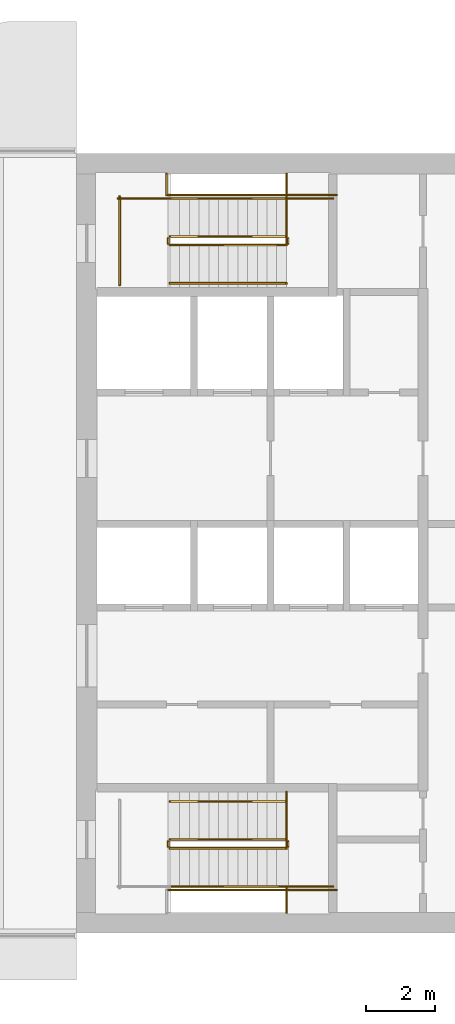
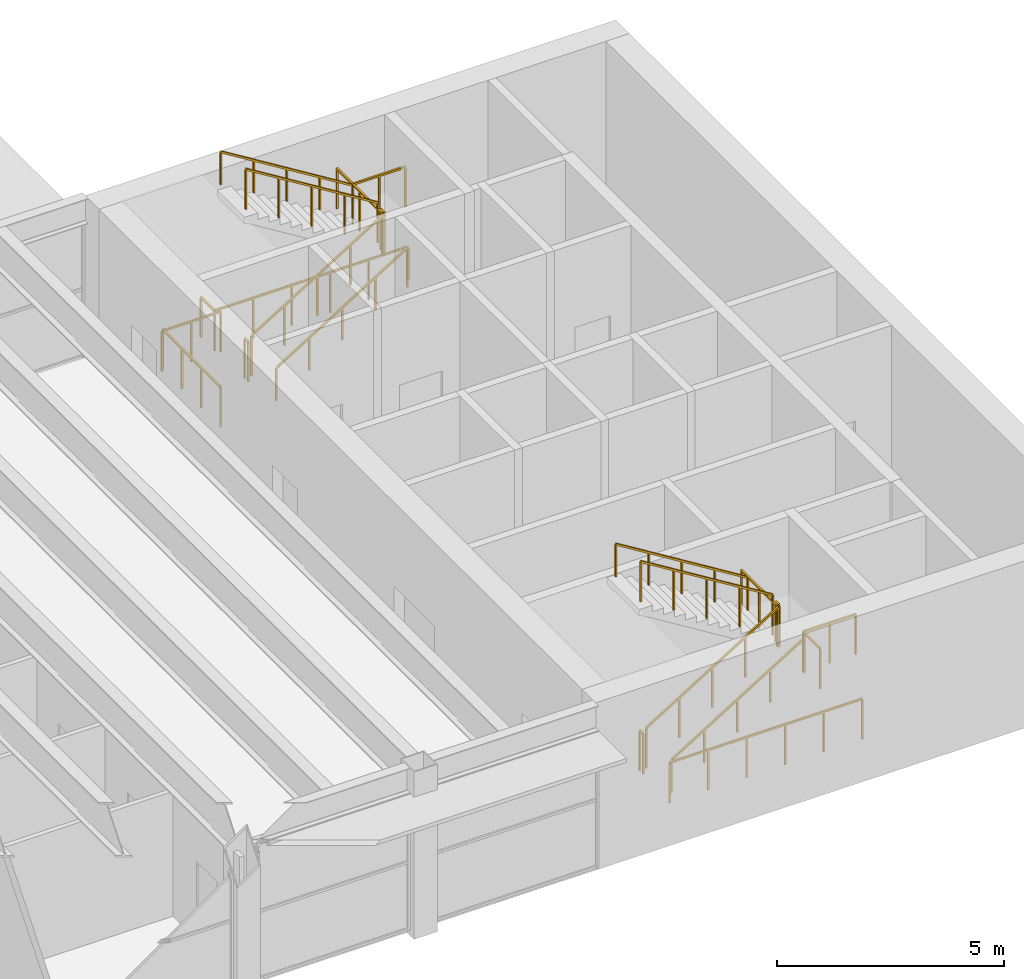
# One storey, part 14 of 14: 22 railings.
"""IFC4 building model written with IfcOpenShell, lengths in metres."""

from ifc_helpers import new_model, si_unit, direction, frame, origin, origin_2d, place, context, subcontext, project, spatial, rectangle, extrude, material, type_object, element, save


model = new_model("IFC4")

# Units and contexts
model_context = context("Model", 3, precision=1e-05, world=origin(), true_north=direction((0.0, 1.0)))
body_context = subcontext(model_context, "Body", "Model", "MODEL_VIEW")
ifc_project = project(units=[si_unit("LENGTHUNIT", "METRE"), si_unit("AREAUNIT", "SQUARE_METRE"), si_unit("VOLUMEUNIT", "CUBIC_METRE"), si_unit("PLANEANGLEUNIT", "RADIAN"), si_unit("MASSUNIT", "GRAM", prefix="KILO")], contexts=[model_context])

# Site, building, storey
site_placement = place(None, origin())
site = spatial("IfcSite", under=ifc_project, at=site_placement, CompositionType="ELEMENT")
building_placement = place(site_placement, origin())
building = spatial("IfcBuilding", under=site, at=building_placement, Name="Sennacour Bend Tower", CompositionType="ELEMENT")
storey_placement = place(building_placement, frame((0.0, 0.0, 309.5)))
storey = spatial("IfcBuildingStorey", under=building, at=storey_placement, Name="L71", CompositionType="ELEMENT", Elevation=309.5)

# Railings
ifc_material = material(Name="Stainless steel", Category="steel")
railing_type_1 = type_object("IfcRailingType", Name="RL-GUARD-1100", PredefinedType="GUARDRAIL", material=ifc_material)
railing_1_placement = place(storey_placement, frame((56.699951171875, 2.449951171875, 0.173095703125)))
element("IfcRailing", 1, at=railing_1_placement, inside=storey, type_object=railing_type_1, Name="L71 SA1 stair guard 1", PredefinedType="GUARDRAIL", context=body_context, shape_type="SweptSolid", body=[
    extrude(rectangle(XDim=0.048095703125, YDim=0.048095703125, at=origin_2d()), frame((0.0, 0.0, 1.076171875), z_axis=(0.850623216509, 0.0, 0.525775754039), x_axis=(0.0, 1.0, 0.0)), (0.0, 0.0, 1.0), 3.9501953125),
    extrude(rectangle(XDim=0.0419921875, YDim=0.0419921875, at=origin_2d()), origin(), (0.0, 0.0, 1.0), 1.052001953125),
    extrude(rectangle(XDim=0.0419921875, YDim=0.0419921875, at=origin_2d()), frame((0.840087890625, 0.0, 0.519287109375)), (0.0, 0.0, 1.0), 1.052001953125),
    extrude(rectangle(XDim=0.0419921875, YDim=0.0419921875, at=origin_2d()), frame((1.68017578125, 0.0, 1.03857421875)), (0.0, 0.0, 1.0), 1.052001953125),
    extrude(rectangle(XDim=0.0419921875, YDim=0.0419921875, at=origin_2d()), frame((2.52001953125, 0.0, 1.5576171875)), (0.0, 0.0, 1.0), 1.052001953125),
    extrude(rectangle(XDim=0.0419921875, YDim=0.0419921875, at=origin_2d()), frame((3.360107421875, 0.0, 2.076904296875)), (0.0, 0.0, 1.0), 1.052001953125),
])
railing_2_placement = place(storey_placement, frame((60.110107421875, 2.5, 2.25)))
element("IfcRailing", 2, at=railing_2_placement, inside=storey, type_object=railing_type_1, Name="L71 SA1 stair guard 2", PredefinedType="GUARDRAIL", context=body_context, shape_type="SweptSolid", body=[
    extrude(rectangle(XDim=0.048095703125, YDim=0.048095703125, at=origin_2d()), frame((0.0, 0.0, 1.076171875), z_axis=(0.0, 1.0, 0.0), x_axis=(-1.0, 0.0, 0.0)), (0.0, 0.0, 1.0), 0.14990234375),
    extrude(rectangle(XDim=0.0419921875, YDim=0.0419921875, at=origin_2d()), origin(), (0.0, 0.0, 1.0), 1.052001953125),
    extrude(rectangle(XDim=0.0419921875, YDim=0.0419921875, at=origin_2d()), frame((0.0, 0.14990234375, 0.0)), (0.0, 0.0, 1.0), 1.052001953125),
])
railing_3_placement = place(storey_placement, frame((60.06005859375, 1.35009765625, 2.25)))
element("IfcRailing", 3, at=railing_3_placement, inside=storey, type_object=railing_type_1, Name="L71 SA1 stair guard 3", PredefinedType="GUARDRAIL", context=body_context, shape_type="SweptSolid", body=[
    extrude(rectangle(XDim=0.048095703125, YDim=0.048095703125, at=origin_2d()), frame((0.0, 0.0, 1.076171875), z_axis=(1.0, 0.0, 0.0), x_axis=(0.0, 1.0, 0.0)), (0.0, 0.0, 1.0), 1.33984375),
    extrude(rectangle(XDim=0.0419921875, YDim=0.0419921875, at=origin_2d()), origin(), (0.0, 0.0, 1.0), 1.052001953125),
    extrude(rectangle(XDim=0.0419921875, YDim=0.0419921875, at=origin_2d()), frame((0.669921875, 0.0, 0.0)), (0.0, 0.0, 1.0), 1.052001953125),
    extrude(rectangle(XDim=0.0419921875, YDim=0.0419921875, at=origin_2d()), frame((1.33984375, 0.0, 0.0)), (0.0, 0.0, 1.0), 1.052001953125),
])
railing_4_placement = place(storey_placement, frame((60.06005859375, 2.699951171875, 2.423095703125)))
element("IfcRailing", 4, at=railing_4_placement, inside=storey, type_object=railing_type_1, Name="L71 SA1 stair guard 4", PredefinedType="GUARDRAIL", context=body_context, shape_type="SweptSolid", body=[
    extrude(rectangle(XDim=0.048095703125, YDim=0.048095703125, at=origin_2d()), frame((0.0, 0.0, 1.076171875), z_axis=(-0.850623216509, 0.0, 0.525775754039), x_axis=(0.0, -1.0, 0.0)), (0.0, 0.0, 1.0), 3.9501953125),
    extrude(rectangle(XDim=0.0419921875, YDim=0.0419921875, at=origin_2d()), origin(), (0.0, 0.0, 1.0), 1.052001953125),
    extrude(rectangle(XDim=0.0419921875, YDim=0.0419921875, at=origin_2d()), frame((-0.840087890625, 0.0, 0.519287109375)), (0.0, 0.0, 1.0), 1.052001953125),
    extrude(rectangle(XDim=0.0419921875, YDim=0.0419921875, at=origin_2d()), frame((-1.68017578125, 0.0, 1.03857421875)), (0.0, 0.0, 1.0), 1.052001953125),
    extrude(rectangle(XDim=0.0419921875, YDim=0.0419921875, at=origin_2d()), frame((-2.52001953125, 0.0, 1.5576171875)), (0.0, 0.0, 1.0), 1.052001953125),
    extrude(rectangle(XDim=0.0419921875, YDim=0.0419921875, at=origin_2d()), frame((-3.360107421875, 0.0, 2.076904296875)), (0.0, 0.0, 1.0), 1.052001953125),
])
railing_5_placement = place(storey_placement, frame((56.64990234375, 2.5, 0.0)))
element("IfcRailing", 5, at=railing_5_placement, inside=storey, type_object=railing_type_1, Name="L71 SA1 stair guard 5", PredefinedType="GUARDRAIL", context=body_context, shape_type="SweptSolid", body=[
    extrude(rectangle(XDim=0.048095703125, YDim=0.048095703125, at=origin_2d()), frame((0.0, 0.0, 1.076171875), z_axis=(0.0, 1.0, 0.0), x_axis=(-1.0, 0.0, 0.0)), (0.0, 0.0, 1.0), 0.14990234375),
    extrude(rectangle(XDim=0.0419921875, YDim=0.0419921875, at=origin_2d()), origin(), (0.0, 0.0, 1.0), 1.052001953125),
    extrude(rectangle(XDim=0.0419921875, YDim=0.0419921875, at=origin_2d()), frame((0.0, 0.14990234375, 0.0)), (0.0, 0.0, 1.0), 1.052001953125),
])
railing_6_placement = place(storey_placement, frame((56.60009765625, 1.25, 0.0)))
element("IfcRailing", 6, at=railing_6_placement, inside=storey, type_object=railing_type_1, Name="L71 SA1 stair guard 8", PredefinedType="GUARDRAIL", context=body_context, shape_type="SweptSolid", body=[
    extrude(rectangle(XDim=0.048095703125, YDim=0.048095703125, at=origin_2d()), frame((0.0, 0.0, 1.076171875), z_axis=(1.0, 0.0, 0.0), x_axis=(0.0, 1.0, 0.0)), (0.0, 0.0, 1.0), 4.89990234375),
    extrude(rectangle(XDim=0.0419921875, YDim=0.0419921875, at=origin_2d()), origin(), (0.0, 0.0, 1.0), 1.052001953125),
    extrude(rectangle(XDim=0.0419921875, YDim=0.0419921875, at=origin_2d()), frame((0.97998046875, 0.0, 0.0)), (0.0, 0.0, 1.0), 1.052001953125),
    extrude(rectangle(XDim=0.0419921875, YDim=0.0419921875, at=origin_2d()), frame((1.9599609375, 0.0, 0.0)), (0.0, 0.0, 1.0), 1.052001953125),
    extrude(rectangle(XDim=0.0419921875, YDim=0.0419921875, at=origin_2d()), frame((2.93994140625, 0.0, 0.0)), (0.0, 0.0, 1.0), 1.052001953125),
    extrude(rectangle(XDim=0.0419921875, YDim=0.0419921875, at=origin_2d()), frame((3.919921875, 0.0, 0.0)), (0.0, 0.0, 1.0), 1.052001953125),
    extrude(rectangle(XDim=0.0419921875, YDim=0.0419921875, at=origin_2d()), frame((4.89990234375, 0.0, 0.0)), (0.0, 0.0, 1.0), 1.052001953125),
])
railing_7_placement = place(storey_placement, frame((60.06005859375, 0.60009765625, 2.25)))
element("IfcRailing", 7, at=railing_7_placement, inside=storey, type_object=railing_type_1, Name="L71 SA1 landing edge guard 115", PredefinedType="GUARDRAIL", context=body_context, shape_type="SweptSolid", body=[
    extrude(rectangle(XDim=0.048095703125, YDim=0.048095703125, at=origin_2d()), frame((0.0, 0.0, 1.076171875), z_axis=(0.0, 1.0, 0.0), x_axis=(-1.0, 0.0, 0.0)), (0.0, 0.0, 1.0), 0.699951171875),
    extrude(rectangle(XDim=0.0419921875, YDim=0.0419921875, at=origin_2d()), origin(), (0.0, 0.0, 1.0), 1.052001953125),
    extrude(rectangle(XDim=0.0419921875, YDim=0.0419921875, at=origin_2d()), frame((0.0, 0.699951171875, 0.0)), (0.0, 0.0, 1.0), 1.052001953125),
])
railing_8_placement = place(storey_placement, frame((60.06005859375, 2.5, 2.25)))
element("IfcRailing", 8, at=railing_8_placement, inside=storey, type_object=railing_type_1, Name="L71 SA1 landing edge guard 116", PredefinedType="GUARDRAIL", context=body_context, shape_type="SweptSolid", body=[
    extrude(rectangle(XDim=0.048095703125, YDim=0.048095703125, at=origin_2d()), frame((0.0, 0.0, 1.076171875), z_axis=(0.0, 1.0, 0.0), x_axis=(-1.0, 0.0, 0.0)), (0.0, 0.0, 1.0), 1.574951171875),
    extrude(rectangle(XDim=0.0419921875, YDim=0.0419921875, at=origin_2d()), origin(), (0.0, 0.0, 1.0), 1.052001953125),
    extrude(rectangle(XDim=0.0419921875, YDim=0.0419921875, at=origin_2d()), frame((0.0, 0.78759765625, 0.0)), (0.0, 0.0, 1.0), 1.052001953125),
    extrude(rectangle(XDim=0.0419921875, YDim=0.0419921875, at=origin_2d()), frame((0.0, 1.574951171875, 0.0)), (0.0, 0.0, 1.0), 1.052001953125),
])
railing_9_placement = place(storey_placement, frame((56.699951171875, 19.85009765625, 0.173095703125)))
element("IfcRailing", 9, at=railing_9_placement, inside=storey, type_object=railing_type_1, Name="L71 SA2 stair guard 1", PredefinedType="GUARDRAIL", context=body_context, shape_type="SweptSolid", body=[
    extrude(rectangle(XDim=0.048095703125, YDim=0.048095703125, at=origin_2d()), frame((0.0, 0.0, 1.076171875), z_axis=(0.850623216509, 0.0, 0.525775754039), x_axis=(0.0, 1.0, 0.0)), (0.0, 0.0, 1.0), 3.9501953125),
    extrude(rectangle(XDim=0.0419921875, YDim=0.0419921875, at=origin_2d()), origin(), (0.0, 0.0, 1.0), 1.052001953125),
    extrude(rectangle(XDim=0.0419921875, YDim=0.0419921875, at=origin_2d()), frame((0.840087890625, 0.0, 0.519287109375)), (0.0, 0.0, 1.0), 1.052001953125),
    extrude(rectangle(XDim=0.0419921875, YDim=0.0419921875, at=origin_2d()), frame((1.68017578125, 0.0, 1.03857421875)), (0.0, 0.0, 1.0), 1.052001953125),
    extrude(rectangle(XDim=0.0419921875, YDim=0.0419921875, at=origin_2d()), frame((2.52001953125, 0.0, 1.5576171875)), (0.0, 0.0, 1.0), 1.052001953125),
    extrude(rectangle(XDim=0.0419921875, YDim=0.0419921875, at=origin_2d()), frame((3.360107421875, 0.0, 2.076904296875)), (0.0, 0.0, 1.0), 1.052001953125),
])
railing_10_placement = place(storey_placement, frame((60.110107421875, 19.89990234375, 2.25)))
element("IfcRailing", 10, at=railing_10_placement, inside=storey, type_object=railing_type_1, Name="L71 SA2 stair guard 2", PredefinedType="GUARDRAIL", context=body_context, shape_type="SweptSolid", body=[
    extrude(rectangle(XDim=0.048095703125, YDim=0.048095703125, at=origin_2d()), frame((0.0, 0.0, 1.076171875), z_axis=(0.0, 1.0, 0.0), x_axis=(-1.0, 0.0, 0.0)), (0.0, 0.0, 1.0), 0.150146484375),
    extrude(rectangle(XDim=0.0419921875, YDim=0.0419921875, at=origin_2d()), origin(), (0.0, 0.0, 1.0), 1.052001953125),
    extrude(rectangle(XDim=0.0419921875, YDim=0.0419921875, at=origin_2d()), frame((0.0, 0.150146484375, 0.0)), (0.0, 0.0, 1.0), 1.052001953125),
])
railing_11_placement = place(storey_placement, frame((60.06005859375, 21.199951171875, 2.25)))
element("IfcRailing", 11, at=railing_11_placement, inside=storey, type_object=railing_type_1, Name="L71 SA2 stair guard 3", PredefinedType="GUARDRAIL", context=body_context, shape_type="SweptSolid", body=[
    extrude(rectangle(XDim=0.048095703125, YDim=0.048095703125, at=origin_2d()), frame((0.0, 0.0, 1.076171875), z_axis=(1.0, 0.0, 0.0), x_axis=(0.0, 1.0, 0.0)), (0.0, 0.0, 1.0), 1.33984375),
    extrude(rectangle(XDim=0.0419921875, YDim=0.0419921875, at=origin_2d()), origin(), (0.0, 0.0, 1.0), 1.052001953125),
    extrude(rectangle(XDim=0.0419921875, YDim=0.0419921875, at=origin_2d()), frame((0.669921875, 0.0, 0.0)), (0.0, 0.0, 1.0), 1.052001953125),
    extrude(rectangle(XDim=0.0419921875, YDim=0.0419921875, at=origin_2d()), frame((1.33984375, 0.0, 0.0)), (0.0, 0.0, 1.0), 1.052001953125),
])
railing_12_placement = place(storey_placement, frame((60.06005859375, 20.10009765625, 2.423095703125)))
element("IfcRailing", 12, at=railing_12_placement, inside=storey, type_object=railing_type_1, Name="L71 SA2 stair guard 4", PredefinedType="GUARDRAIL", context=body_context, shape_type="SweptSolid", body=[
    extrude(rectangle(XDim=0.048095703125, YDim=0.048095703125, at=origin_2d()), frame((0.0, 0.0, 1.076171875), z_axis=(-0.850623216509, 0.0, 0.525775754039), x_axis=(0.0, -1.0, 0.0)), (0.0, 0.0, 1.0), 3.9501953125),
    extrude(rectangle(XDim=0.0419921875, YDim=0.0419921875, at=origin_2d()), origin(), (0.0, 0.0, 1.0), 1.052001953125),
    extrude(rectangle(XDim=0.0419921875, YDim=0.0419921875, at=origin_2d()), frame((-0.840087890625, 0.0, 0.519287109375)), (0.0, 0.0, 1.0), 1.052001953125),
    extrude(rectangle(XDim=0.0419921875, YDim=0.0419921875, at=origin_2d()), frame((-1.68017578125, 0.0, 1.03857421875)), (0.0, 0.0, 1.0), 1.052001953125),
    extrude(rectangle(XDim=0.0419921875, YDim=0.0419921875, at=origin_2d()), frame((-2.52001953125, 0.0, 1.5576171875)), (0.0, 0.0, 1.0), 1.052001953125),
    extrude(rectangle(XDim=0.0419921875, YDim=0.0419921875, at=origin_2d()), frame((-3.360107421875, 0.0, 2.076904296875)), (0.0, 0.0, 1.0), 1.052001953125),
])
railing_13_placement = place(storey_placement, frame((56.64990234375, 19.89990234375, 0.0)))
element("IfcRailing", 13, at=railing_13_placement, inside=storey, type_object=railing_type_1, Name="L71 SA2 stair guard 5", PredefinedType="GUARDRAIL", context=body_context, shape_type="SweptSolid", body=[
    extrude(rectangle(XDim=0.048095703125, YDim=0.048095703125, at=origin_2d()), frame((0.0, 0.0, 1.076171875), z_axis=(0.0, 1.0, 0.0), x_axis=(-1.0, 0.0, 0.0)), (0.0, 0.0, 1.0), 0.150146484375),
    extrude(rectangle(XDim=0.0419921875, YDim=0.0419921875, at=origin_2d()), origin(), (0.0, 0.0, 1.0), 1.052001953125),
    extrude(rectangle(XDim=0.0419921875, YDim=0.0419921875, at=origin_2d()), frame((0.0, 0.150146484375, 0.0)), (0.0, 0.0, 1.0), 1.052001953125),
])
railing_14_placement = place(storey_placement, frame((55.199951171875, 21.199951171875, 0.0)))
element("IfcRailing", 14, at=railing_14_placement, inside=storey, type_object=railing_type_1, Name="L71 SA2 stair guard 6", PredefinedType="GUARDRAIL", context=body_context, shape_type="SweptSolid", body=[
    extrude(rectangle(XDim=0.048095703125, YDim=0.048095703125, at=origin_2d()), frame((0.0, 0.0, 1.076171875), z_axis=(1.0, 0.0, 0.0), x_axis=(0.0, 1.0, 0.0)), (0.0, 0.0, 1.0), 1.5),
    extrude(rectangle(XDim=0.0419921875, YDim=0.0419921875, at=origin_2d()), origin(), (0.0, 0.0, 1.0), 1.052001953125),
    extrude(rectangle(XDim=0.0419921875, YDim=0.0419921875, at=origin_2d()), frame((0.75, 0.0, 0.0)), (0.0, 0.0, 1.0), 1.052001953125),
    extrude(rectangle(XDim=0.0419921875, YDim=0.0419921875, at=origin_2d()), frame((1.5, 0.0, 0.0)), (0.0, 0.0, 1.0), 1.052001953125),
])
railing_15_placement = place(storey_placement, frame((55.25, 18.699951171875, 0.0)))
element("IfcRailing", 15, at=railing_15_placement, inside=storey, type_object=railing_type_1, Name="L71 SA2 stair guard 7", PredefinedType="GUARDRAIL", context=body_context, shape_type="SweptSolid", body=[
    extrude(rectangle(XDim=0.048095703125, YDim=0.048095703125, at=origin_2d()), frame((0.0, 0.0, 1.076171875), z_axis=(0.0, 1.0, 0.0), x_axis=(-1.0, 0.0, 0.0)), (0.0, 0.0, 1.0), 2.550048828125),
    extrude(rectangle(XDim=0.0419921875, YDim=0.0419921875, at=origin_2d()), origin(), (0.0, 0.0, 1.0), 1.052001953125),
    extrude(rectangle(XDim=0.0419921875, YDim=0.0419921875, at=origin_2d()), frame((0.0, 0.85009765625, 0.0)), (0.0, 0.0, 1.0), 1.052001953125),
    extrude(rectangle(XDim=0.0419921875, YDim=0.0419921875, at=origin_2d()), frame((0.0, 1.699951171875, 0.0)), (0.0, 0.0, 1.0), 1.052001953125),
    extrude(rectangle(XDim=0.0419921875, YDim=0.0419921875, at=origin_2d()), frame((0.0, 2.550048828125, 0.0)), (0.0, 0.0, 1.0), 1.052001953125),
])
railing_16_placement = place(storey_placement, frame((56.60009765625, 21.300048828125, 0.0)))
element("IfcRailing", 16, at=railing_16_placement, inside=storey, type_object=railing_type_1, Name="L71 SA2 stair guard 8", PredefinedType="GUARDRAIL", context=body_context, shape_type="SweptSolid", body=[
    extrude(rectangle(XDim=0.048095703125, YDim=0.048095703125, at=origin_2d()), frame((0.0, 0.0, 1.076171875), z_axis=(1.0, 0.0, 0.0), x_axis=(0.0, 1.0, 0.0)), (0.0, 0.0, 1.0), 4.89990234375),
    extrude(rectangle(XDim=0.0419921875, YDim=0.0419921875, at=origin_2d()), origin(), (0.0, 0.0, 1.0), 1.052001953125),
    extrude(rectangle(XDim=0.0419921875, YDim=0.0419921875, at=origin_2d()), frame((0.97998046875, 0.0, 0.0)), (0.0, 0.0, 1.0), 1.052001953125),
    extrude(rectangle(XDim=0.0419921875, YDim=0.0419921875, at=origin_2d()), frame((1.9599609375, 0.0, 0.0)), (0.0, 0.0, 1.0), 1.052001953125),
    extrude(rectangle(XDim=0.0419921875, YDim=0.0419921875, at=origin_2d()), frame((2.93994140625, 0.0, 0.0)), (0.0, 0.0, 1.0), 1.052001953125),
    extrude(rectangle(XDim=0.0419921875, YDim=0.0419921875, at=origin_2d()), frame((3.919921875, 0.0, 0.0)), (0.0, 0.0, 1.0), 1.052001953125),
    extrude(rectangle(XDim=0.0419921875, YDim=0.0419921875, at=origin_2d()), frame((4.89990234375, 0.0, 0.0)), (0.0, 0.0, 1.0), 1.052001953125),
])
railing_17_placement = place(storey_placement, frame((60.06005859375, 19.89990234375, 2.25)))
element("IfcRailing", 17, at=railing_17_placement, inside=storey, type_object=railing_type_1, Name="L71 SA2 landing edge guard 94", PredefinedType="GUARDRAIL", context=body_context, shape_type="SweptSolid", body=[
    extrude(rectangle(XDim=0.048095703125, YDim=0.048095703125, at=origin_2d()), frame((0.0, 0.0, 1.076171875), z_axis=(0.0, 1.0, 0.0), x_axis=(-1.0, 0.0, 0.0)), (0.0, 0.0, 1.0), 2.0),
    extrude(rectangle(XDim=0.0419921875, YDim=0.0419921875, at=origin_2d()), origin(), (0.0, 0.0, 1.0), 1.052001953125),
    extrude(rectangle(XDim=0.0419921875, YDim=0.0419921875, at=origin_2d()), frame((0.0, 1.0, 0.0)), (0.0, 0.0, 1.0), 1.052001953125),
    extrude(rectangle(XDim=0.0419921875, YDim=0.0419921875, at=origin_2d()), frame((0.0, 2.0, 0.0)), (0.0, 0.0, 1.0), 1.052001953125),
])
railing_18_placement = place(storey_placement, frame((56.60009765625, 21.300048828125, 0.0)))
element("IfcRailing", 18, at=railing_18_placement, inside=storey, type_object=railing_type_1, Name="L71 SA2 landing edge guard 125", PredefinedType="GUARDRAIL", context=body_context, shape_type="SweptSolid", body=[
    extrude(rectangle(XDim=0.048095703125, YDim=0.048095703125, at=origin_2d()), frame((0.0, 0.0, 1.076171875), z_axis=(0.0, 1.0, 0.0), x_axis=(-1.0, 0.0, 0.0)), (0.0, 0.0, 1.0), 0.599853515625),
    extrude(rectangle(XDim=0.0419921875, YDim=0.0419921875, at=origin_2d()), origin(), (0.0, 0.0, 1.0), 1.052001953125),
    extrude(rectangle(XDim=0.0419921875, YDim=0.0419921875, at=origin_2d()), frame((0.0, 0.599853515625, 0.0)), (0.0, 0.0, 1.0), 1.052001953125),
])
railing_type_2 = type_object("IfcRailingType", Name="RL-HANDRAIL-900", PredefinedType="HANDRAIL", material=ifc_material)
railing_19_placement = place(storey_placement, frame((56.699951171875, 1.35009765625, 0.173095703125)))
element("IfcRailing", 19, at=railing_19_placement, inside=storey, type_object=railing_type_2, Name="L71 SA1 stair handrail 1", PredefinedType="HANDRAIL", context=body_context, shape_type="SweptSolid", body=[
    extrude(rectangle(XDim=0.048095703125, YDim=0.048095703125, at=origin_2d()), frame((0.0, 0.0, 0.8759765625), z_axis=(0.850623216509, 0.0, 0.525775754039), x_axis=(0.0, 1.0, 0.0)), (0.0, 0.0, 1.0), 3.9501953125),
    extrude(rectangle(XDim=0.0419921875, YDim=0.0419921875, at=origin_2d()), origin(), (0.0, 0.0, 1.0), 0.851806640625),
    extrude(rectangle(XDim=0.0419921875, YDim=0.0419921875, at=origin_2d()), frame((0.840087890625, 0.0, 0.519287109375)), (0.0, 0.0, 1.0), 0.851806640625),
    extrude(rectangle(XDim=0.0419921875, YDim=0.0419921875, at=origin_2d()), frame((1.68017578125, 0.0, 1.03857421875)), (0.0, 0.0, 1.0), 0.851806640625),
    extrude(rectangle(XDim=0.0419921875, YDim=0.0419921875, at=origin_2d()), frame((2.52001953125, 0.0, 1.5576171875)), (0.0, 0.0, 1.0), 0.851806640625),
    extrude(rectangle(XDim=0.0419921875, YDim=0.0419921875, at=origin_2d()), frame((3.360107421875, 0.0, 2.076904296875)), (0.0, 0.0, 1.0), 0.851806640625),
])
railing_20_placement = place(storey_placement, frame((60.06005859375, 3.800048828125, 2.423095703125)))
element("IfcRailing", 20, at=railing_20_placement, inside=storey, type_object=railing_type_2, Name="L71 SA1 stair handrail 2", PredefinedType="HANDRAIL", context=body_context, shape_type="SweptSolid", body=[
    extrude(rectangle(XDim=0.048095703125, YDim=0.048095703125, at=origin_2d()), frame((0.0, 0.0, 0.8759765625), z_axis=(-0.850623216509, 0.0, 0.525775754039), x_axis=(0.0, -1.0, 0.0)), (0.0, 0.0, 1.0), 3.9501953125),
    extrude(rectangle(XDim=0.0419921875, YDim=0.0419921875, at=origin_2d()), origin(), (0.0, 0.0, 1.0), 0.851806640625),
    extrude(rectangle(XDim=0.0419921875, YDim=0.0419921875, at=origin_2d()), frame((-0.840087890625, 0.0, 0.519287109375)), (0.0, 0.0, 1.0), 0.851806640625),
    extrude(rectangle(XDim=0.0419921875, YDim=0.0419921875, at=origin_2d()), frame((-1.68017578125, 0.0, 1.03857421875)), (0.0, 0.0, 1.0), 0.851806640625),
    extrude(rectangle(XDim=0.0419921875, YDim=0.0419921875, at=origin_2d()), frame((-2.52001953125, 0.0, 1.5576171875)), (0.0, 0.0, 1.0), 0.851806640625),
    extrude(rectangle(XDim=0.0419921875, YDim=0.0419921875, at=origin_2d()), frame((-3.360107421875, 0.0, 2.076904296875)), (0.0, 0.0, 1.0), 0.851806640625),
])
railing_21_placement = place(storey_placement, frame((56.699951171875, 18.75, 0.173095703125)))
element("IfcRailing", 21, at=railing_21_placement, inside=storey, type_object=railing_type_2, Name="L71 SA2 stair handrail 1", PredefinedType="HANDRAIL", context=body_context, shape_type="SweptSolid", body=[
    extrude(rectangle(XDim=0.048095703125, YDim=0.048095703125, at=origin_2d()), frame((0.0, 0.0, 0.8759765625), z_axis=(0.850623216509, 0.0, 0.525775754039), x_axis=(0.0, 1.0, 0.0)), (0.0, 0.0, 1.0), 3.9501953125),
    extrude(rectangle(XDim=0.0419921875, YDim=0.0419921875, at=origin_2d()), origin(), (0.0, 0.0, 1.0), 0.851806640625),
    extrude(rectangle(XDim=0.0419921875, YDim=0.0419921875, at=origin_2d()), frame((0.840087890625, 0.0, 0.519287109375)), (0.0, 0.0, 1.0), 0.851806640625),
    extrude(rectangle(XDim=0.0419921875, YDim=0.0419921875, at=origin_2d()), frame((1.68017578125, 0.0, 1.03857421875)), (0.0, 0.0, 1.0), 0.851806640625),
    extrude(rectangle(XDim=0.0419921875, YDim=0.0419921875, at=origin_2d()), frame((2.52001953125, 0.0, 1.5576171875)), (0.0, 0.0, 1.0), 0.851806640625),
    extrude(rectangle(XDim=0.0419921875, YDim=0.0419921875, at=origin_2d()), frame((3.360107421875, 0.0, 2.076904296875)), (0.0, 0.0, 1.0), 0.851806640625),
])
railing_22_placement = place(storey_placement, frame((60.06005859375, 21.199951171875, 2.423095703125)))
element("IfcRailing", 22, at=railing_22_placement, inside=storey, type_object=railing_type_2, Name="L71 SA2 stair handrail 2", PredefinedType="HANDRAIL", context=body_context, shape_type="SweptSolid", body=[
    extrude(rectangle(XDim=0.048095703125, YDim=0.048095703125, at=origin_2d()), frame((0.0, 0.0, 0.8759765625), z_axis=(-0.850623216509, 0.0, 0.525775754039), x_axis=(0.0, -1.0, 0.0)), (0.0, 0.0, 1.0), 3.9501953125),
    extrude(rectangle(XDim=0.0419921875, YDim=0.0419921875, at=origin_2d()), origin(), (0.0, 0.0, 1.0), 0.851806640625),
    extrude(rectangle(XDim=0.0419921875, YDim=0.0419921875, at=origin_2d()), frame((-0.840087890625, 0.0, 0.519287109375)), (0.0, 0.0, 1.0), 0.851806640625),
    extrude(rectangle(XDim=0.0419921875, YDim=0.0419921875, at=origin_2d()), frame((-1.68017578125, 0.0, 1.03857421875)), (0.0, 0.0, 1.0), 0.851806640625),
    extrude(rectangle(XDim=0.0419921875, YDim=0.0419921875, at=origin_2d()), frame((-2.52001953125, 0.0, 1.5576171875)), (0.0, 0.0, 1.0), 0.851806640625),
    extrude(rectangle(XDim=0.0419921875, YDim=0.0419921875, at=origin_2d()), frame((-3.360107421875, 0.0, 2.076904296875)), (0.0, 0.0, 1.0), 0.851806640625),
])

save(model, "model.ifc")
